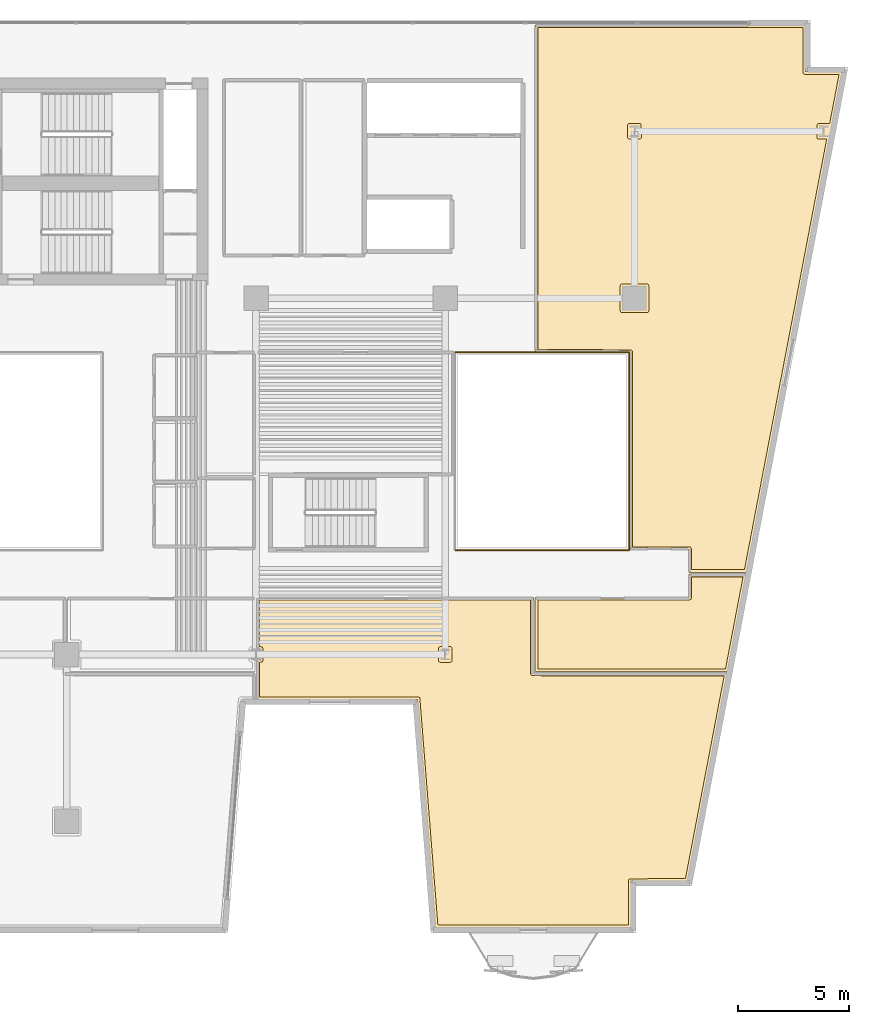
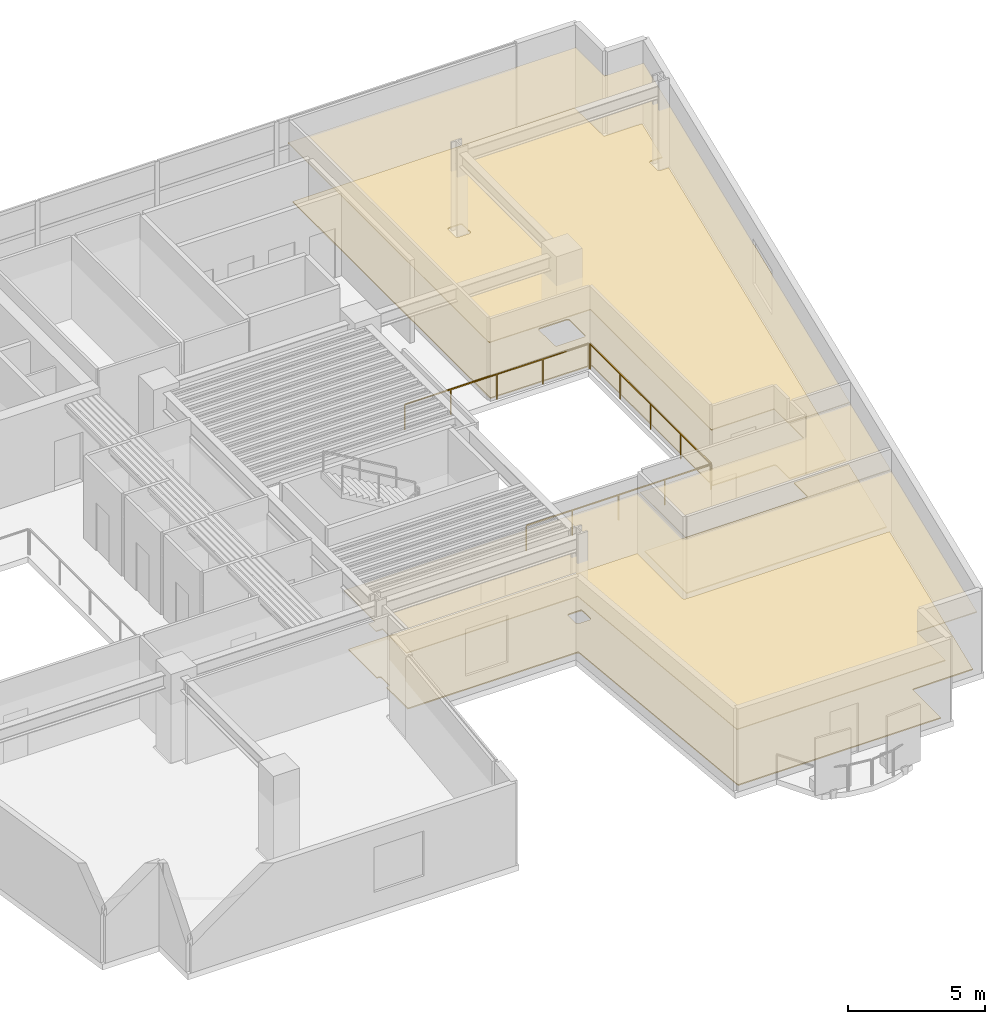
# One storey, part 11 of 12: 6 coverings, 3 railings.
"""IFC4 building model written with IfcOpenShell, lengths in metres."""

from ifc_helpers import new_model, si_unit, direction, frame, origin, origin_2d, place, context, subcontext, project, spatial, polyline, rectangle, outline, extrude, material, layer, layer_set, type_object, element, save


model = new_model("IFC4")

# Units and contexts
model_context = context("Model", 3, precision=1e-05, world=origin(), true_north=direction((0.0, 1.0)))
body_context = subcontext(model_context, "Body", "Model", "MODEL_VIEW")
ifc_project = project(units=[si_unit("LENGTHUNIT", "METRE"), si_unit("AREAUNIT", "SQUARE_METRE"), si_unit("VOLUMEUNIT", "CUBIC_METRE"), si_unit("PLANEANGLEUNIT", "RADIAN"), si_unit("MASSUNIT", "GRAM", prefix="KILO")], contexts=[model_context])

# Site, building, storey
site_placement = place(None, origin())
site = spatial("IfcSite", under=ifc_project, at=site_placement, CompositionType="ELEMENT")
building_placement = place(site_placement, origin())
building = spatial("IfcBuilding", under=site, at=building_placement, Name="Caeloran Harvest Quay", CompositionType="ELEMENT")
storey_placement = place(building_placement, frame((0.0, 0.0, 115.35009765625)))
storey = spatial("IfcBuildingStorey", under=building, at=storey_placement, Name="L26", CompositionType="ELEMENT", Elevation=115.35009765625)

# Coverings
ifc_material_1 = material(Name="Perforated Mineral-Fibre Acoustic Ceiling Tile", Category="ceiling")
ifc_layer_1 = layer(ifc_material_1, 0.0400390625, Name="Perforated Mineral-Fibre Acoustic Ceiling Tile")
ifc_layer_set_1 = layer_set([ifc_layer_1], Name="Perforated Mineral-Fibre Acoustic Ceiling Tile")
covering_type_1 = type_object("IfcCoveringType", Name="COV-CEILING-ACOUSTIC", PredefinedType="CEILING", material=ifc_layer_set_1)
covering_1_placement = place(storey_placement, frame((0.0, 0.0, 2.599853515625)))
element("IfcCovering", 1, at=covering_1_placement, inside=storey, type_object=covering_type_1, Name="Crop Genomics Wet Laboratory Acoustic Ceiling", PredefinedType="CEILING", context=body_context, shape_type="SweptSolid", body=[
    extrude(outline(polyline([(25.5400390625, 14.722900390625), (25.261474609375, 14.722900390625), (25.261474609375, 15.277099609375), (25.5400390625, 15.277099609375), (25.5400390625, 17.56005859375), (37.9599609375, 17.56005859375), (37.9599609375, 14.159912109375), (46.6728515625, 14.159912109375), (44.888916015625, 4.820068359375), (42.35009765625, 4.820068359375), (42.35009765625, 2.719970703125), (33.55859375, 2.719970703125), (32.758544921875, 12.969970703125), (25.5400390625, 12.969970703125), (25.5400390625, 14.722900390625)])), origin(), (0.0, 0.0, 1.0), 0.0400390625),
])
covering_2_placement = place(storey_placement, frame((0.0, 0.0, 2.599853515625)))
element("IfcCovering", 2, at=covering_2_placement, inside=storey, type_object=covering_type_1, Name="Patent Strategy Office Acoustic Ceiling", PredefinedType="CEILING", context=body_context, shape_type="SweptSolid", body=[
    extrude(outline(polyline([(44.93994140625, 17.56005859375), (44.93994140625, 18.610107421875), (47.522705078125, 18.610107421875), (46.68798828125, 14.239990234375), (38.0400390625, 14.239990234375), (38.0400390625, 17.56005859375), (44.93994140625, 17.56005859375)])), origin(), (0.0, 0.0, 1.0), 0.0400390625),
])
covering_3_placement = place(storey_placement, frame((0.0, 0.0, 2.599853515625)))
element("IfcCovering", 3, at=covering_3_placement, inside=storey, type_object=covering_type_1, Name="Phenotyping Sensor Laboratory 10 Acoustic Ceiling", PredefinedType="CEILING", context=body_context, shape_type="SweptSolid", body=[
    extrude(outline(polyline([(50.179931640625, 41.179931640625), (51.8330078125, 41.179931640625), (47.537841796875, 18.68994140625), (44.93994140625, 18.68994140625), (44.93994140625, 19.7099609375), (42.2900390625, 19.7099609375), (42.2900390625, 28.560302734375), (38.0400390625, 28.59033203125), (38.0400390625, 43.280029296875), (50.179931640625, 43.280029296875), (50.179931640625, 41.179931640625)])), origin(), (0.0, 0.0, 1.0), 0.0400390625),
])
ifc_material_2 = material(Name="Calcium-Sulphate Raised Access Floor and Terrazzo Finish", Category="flooring")
ifc_layer_2 = layer(ifc_material_2, 0.050048828125, Name="Calcium-Sulphate Raised Access Floor and Terrazzo Finish")
ifc_layer_set_2 = layer_set([ifc_layer_2], Name="Calcium-Sulphate Raised Access Floor and Terrazzo Finish")
covering_type_2 = type_object("IfcCoveringType", Name="COV-FLOOR-RAISED", PredefinedType="FLOORING", material=ifc_layer_set_2)
covering_4_placement = place(storey_placement, origin())
element("IfcCovering", 4, at=covering_4_placement, inside=storey, type_object=covering_type_2, Name="Crop Genomics Wet Laboratory Raised Finish Flooring", PredefinedType="FLOORING", context=body_context, shape_type="SweptSolid", body=[
    extrude(outline(polyline([(25.659912109375, 13.090087890625), (25.659912109375, 14.64794921875), (25.771240234375, 14.657470703125), (25.8134765625, 14.72802734375), (25.81201171875, 15.28759765625), (25.76416015625, 15.345947265625), (25.659912109375, 15.35205078125), (25.659912109375, 17.43994140625), (37.840087890625, 17.43994140625), (37.840087890625, 14.1201171875), (37.889404296875, 14.046142578125), (46.527587890625, 14.0400390625), (44.789794921875, 4.93994140625), (42.25927734375, 4.921875), (42.22998046875, 4.860107421875), (42.22998046875, 2.840087890625), (33.66943359375, 2.840087890625), (32.85791015625, 13.06005859375), (32.79541015625, 13.090087890625), (25.659912109375, 13.090087890625)]), holes=[polyline([(34.3134765625, 14.72802734375), (34.29541015625, 15.32275390625), (34.2412109375, 15.3515625), (33.7666015625, 15.35205078125), (33.7099609375, 15.32861328125), (33.6865234375, 15.27197265625), (33.6865234375, 14.72802734375), (33.7099609375, 14.67138671875), (33.7666015625, 14.64794921875), (34.2333984375, 14.64794921875), (34.2900390625, 14.67138671875), (34.3134765625, 14.72802734375)])]), origin(), (0.0, 0.0, 1.0), 0.0498046875),
])
covering_5_placement = place(storey_placement, origin())
element("IfcCovering", 5, at=covering_5_placement, inside=storey, type_object=covering_type_2, Name="Patent Strategy Office Raised Finish Flooring", PredefinedType="FLOORING", context=body_context, shape_type="SweptSolid", body=[
    extrude(outline(polyline([(44.97802734375, 17.443603515625), (45.037353515625, 17.4833984375), (45.059814453125, 17.543212890625), (45.06005859375, 18.489990234375), (47.37744140625, 18.489990234375), (46.5888671875, 14.360107421875), (38.159912109375, 14.360107421875), (38.159912109375, 17.43994140625), (44.97802734375, 17.443603515625)])), origin(), (0.0, 0.0, 1.0), 0.0498046875),
])
covering_6_placement = place(storey_placement, origin())
element("IfcCovering", 6, at=covering_6_placement, inside=storey, type_object=covering_type_2, Name="Phenotyping Sensor Laboratory 10 Raised Finish Flooring", PredefinedType="FLOORING", context=body_context, shape_type="SweptSolid", body=[
    extrude(outline(polyline([(38.159912109375, 43.159912109375), (50.06005859375, 43.159912109375), (50.078125, 41.089111328125), (50.139892578125, 41.06005859375), (51.68798828125, 41.06005859375), (51.264892578125, 38.845458984375), (50.7587890625, 38.8515625), (50.68798828125, 38.78759765625), (50.699951171875, 38.18359375), (50.7587890625, 38.1484375), (51.1318359375, 38.14794921875), (47.438720703125, 18.81005859375), (45.06005859375, 18.81005859375), (45.0595703125, 19.7578125), (44.99560546875, 19.82861328125), (42.409912109375, 19.830078125), (42.409912109375, 28.60009765625), (42.38671875, 28.656494140625), (42.33056640625, 28.679931640625), (38.159912109375, 28.70947265625), (38.159912109375, 43.159912109375)]), holes=[polyline([(41.93505859375, 31.64501953125), (41.87841796875, 31.62158203125), (41.85498046875, 31.56494140625), (41.85498046875, 30.43505859375), (41.87841796875, 30.37841796875), (41.93505859375, 30.35498046875), (43.06494140625, 30.35498046875), (43.12158203125, 30.37841796875), (43.14501953125, 30.43505859375), (43.14501953125, 31.56494140625), (43.12158203125, 31.62158203125), (43.06494140625, 31.64501953125), (41.93505859375, 31.64501953125)]), polyline([(42.8134765625, 38.22802734375), (42.79541015625, 38.82275390625), (42.7412109375, 38.8515625), (42.2666015625, 38.85205078125), (42.2099609375, 38.82861328125), (42.1865234375, 38.77197265625), (42.1865234375, 38.22802734375), (42.2099609375, 38.17138671875), (42.2666015625, 38.14794921875), (42.7333984375, 38.14794921875), (42.7900390625, 38.17138671875), (42.8134765625, 38.22802734375)])]), origin(), (0.0, 0.0, 1.0), 0.0498046875),
])

# Railings
ifc_material_3 = material(Name="Powder-Coated Steel Post and Laminated Glass Guardrail", Category="steel")
ifc_layer_3 = layer(ifc_material_3, 0.06005859375, Name="Powder-Coated Steel Post and Laminated Glass Guardrail")
ifc_layer_set_3 = layer_set([ifc_layer_3], Name="Powder-Coated Steel Post and Laminated Glass Guardrail")
railing_type = type_object("IfcRailingType", Name="GUARD-ATRIUM-1150", PredefinedType="GUARDRAIL", material=ifc_layer_set_3)
railing_1_placement = place(storey_placement, frame((34.4619140625, 19.679931640625, 0.0)))
element("IfcRailing", 7, at=railing_1_placement, inside=storey, type_object=railing_type, Name="L26 East Botanical Lightwell Guardrail Seg 1", PredefinedType="GUARDRAIL", context=body_context, shape_type="SweptSolid", body=[
    extrude(rectangle(XDim=0.048095703125, YDim=0.048095703125, at=origin_2d()), frame((0.0, 0.0, 1.1259765625), z_axis=(1.0, 0.0, 0.0), x_axis=(0.0, 1.0, 0.0)), (0.0, 0.0, 1.0), 7.776123046875),
    extrude(rectangle(XDim=0.0419921875, YDim=0.0419921875, at=origin_2d()), origin(), (0.0, 0.0, 1.0), 1.101806640625),
    extrude(rectangle(XDim=0.0419921875, YDim=0.0419921875, at=origin_2d()), frame((1.944091796875, 0.0, 0.0)), (0.0, 0.0, 1.0), 1.101806640625),
    extrude(rectangle(XDim=0.0419921875, YDim=0.0419921875, at=origin_2d()), frame((3.88818359375, 0.0, 0.0)), (0.0, 0.0, 1.0), 1.101806640625),
    extrude(rectangle(XDim=0.0419921875, YDim=0.0419921875, at=origin_2d()), frame((5.83203125, 0.0, 0.0)), (0.0, 0.0, 1.0), 1.101806640625),
    extrude(rectangle(XDim=0.0419921875, YDim=0.0419921875, at=origin_2d()), frame((7.776123046875, 0.0, 0.0)), (0.0, 0.0, 1.0), 1.101806640625),
])
railing_2_placement = place(storey_placement, frame((42.27001953125, 19.7119140625, 0.0)))
element("IfcRailing", 8, at=railing_2_placement, inside=storey, type_object=railing_type, Name="L26 East Botanical Lightwell Guardrail Seg 2", PredefinedType="GUARDRAIL", context=body_context, shape_type="SweptSolid", body=[
    extrude(rectangle(XDim=0.048095703125, YDim=0.048095703125, at=origin_2d()), frame((0.0, 0.0, 1.1259765625), z_axis=(0.0, 1.0, 0.0), x_axis=(-1.0, 0.0, 0.0)), (0.0, 0.0, 1.0), 8.826171875),
    extrude(rectangle(XDim=0.0419921875, YDim=0.0419921875, at=origin_2d()), origin(), (0.0, 0.0, 1.0), 1.101806640625),
    extrude(rectangle(XDim=0.0419921875, YDim=0.0419921875, at=origin_2d()), frame((0.0, 2.20654296875, 0.0)), (0.0, 0.0, 1.0), 1.101806640625),
    extrude(rectangle(XDim=0.0419921875, YDim=0.0419921875, at=origin_2d()), frame((0.0, 4.4130859375, 0.0)), (0.0, 0.0, 1.0), 1.101806640625),
    extrude(rectangle(XDim=0.0419921875, YDim=0.0419921875, at=origin_2d()), frame((0.0, 6.61962890625, 0.0)), (0.0, 0.0, 1.0), 1.101806640625),
    extrude(rectangle(XDim=0.0419921875, YDim=0.0419921875, at=origin_2d()), frame((0.0, 8.826171875, 0.0)), (0.0, 0.0, 1.0), 1.101806640625),
])
railing_3_placement = place(storey_placement, frame((42.238037109375, 28.570068359375, 0.0)))
element("IfcRailing", 9, at=railing_3_placement, inside=storey, type_object=railing_type, Name="L26 East Botanical Lightwell Guardrail Seg 3", PredefinedType="GUARDRAIL", context=body_context, shape_type="SweptSolid", body=[
    extrude(rectangle(XDim=0.048095703125, YDim=0.048095703125, at=origin_2d()), frame((0.0, 0.0, 1.1259765625), z_axis=(-1.0, 0.0, 0.0), x_axis=(0.0, -1.0, 0.0)), (0.0, 0.0, 1.0), 7.776123046875),
    extrude(rectangle(XDim=0.0419921875, YDim=0.0419921875, at=origin_2d()), origin(), (0.0, 0.0, 1.0), 1.101806640625),
    extrude(rectangle(XDim=0.0419921875, YDim=0.0419921875, at=origin_2d()), frame((-1.944091796875, 0.0, 0.0)), (0.0, 0.0, 1.0), 1.101806640625),
    extrude(rectangle(XDim=0.0419921875, YDim=0.0419921875, at=origin_2d()), frame((-3.88818359375, 0.0, 0.0)), (0.0, 0.0, 1.0), 1.101806640625),
    extrude(rectangle(XDim=0.0419921875, YDim=0.0419921875, at=origin_2d()), frame((-5.83203125, 0.0, 0.0)), (0.0, 0.0, 1.0), 1.101806640625),
    extrude(rectangle(XDim=0.0419921875, YDim=0.0419921875, at=origin_2d()), frame((-7.776123046875, 0.0, 0.0)), (0.0, 0.0, 1.0), 1.101806640625),
])

save(model, "model.ifc")
